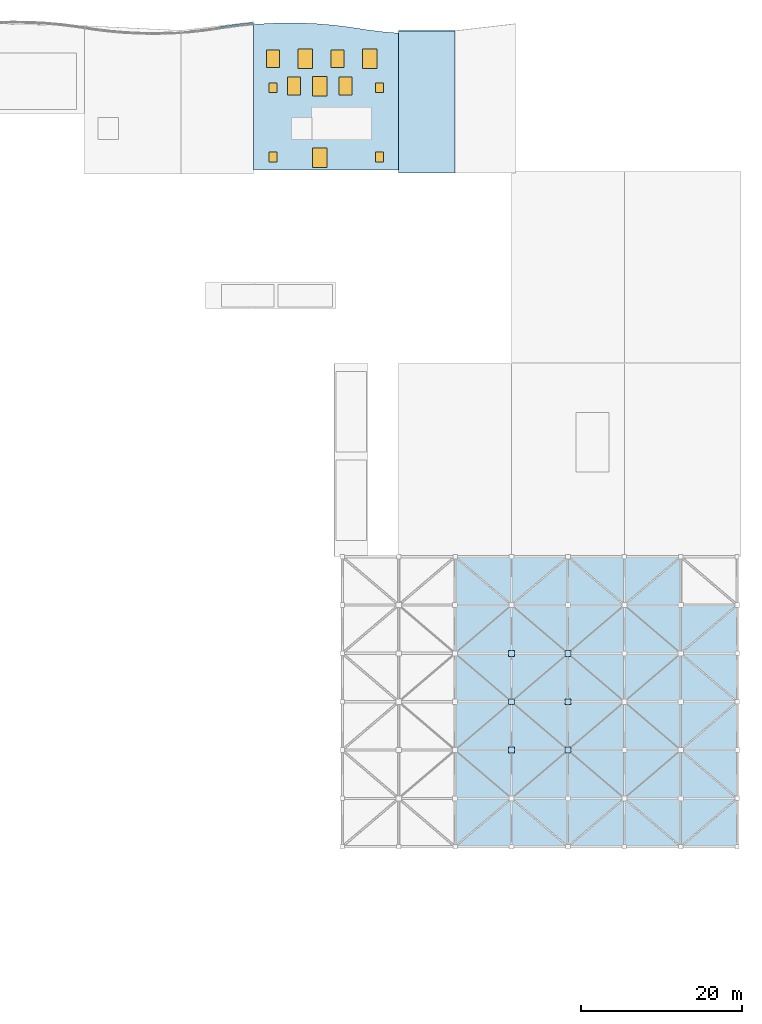
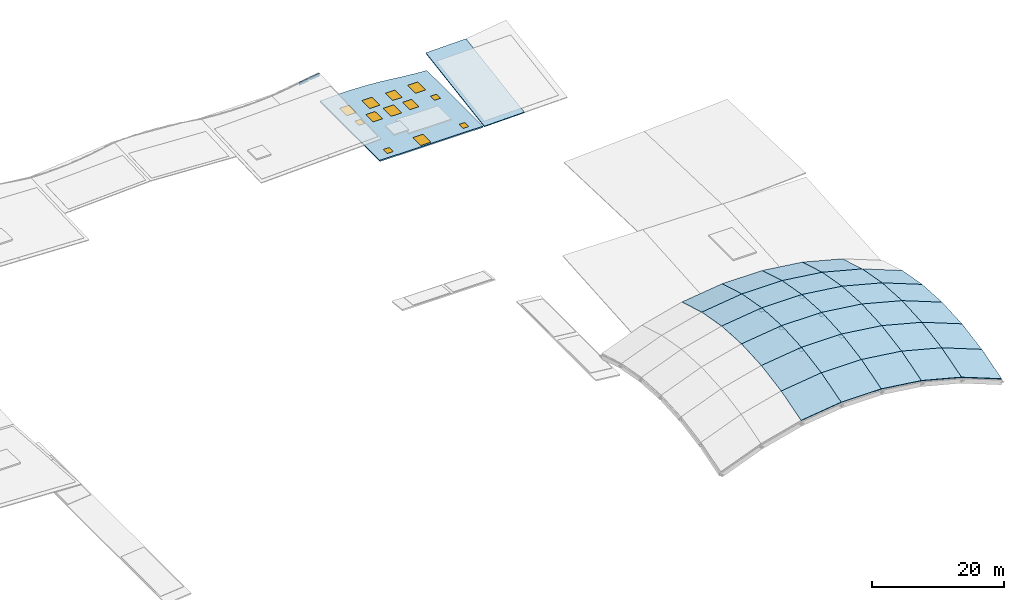
"""IFC4 building model written with IfcOpenShell, lengths in metres."""

from ifc_helpers import new_model, si_unit, direction, frame, origin, origin_2d, place, context, subcontext, project, spatial, polyline, rectangle, outline, extrude, material, layer, layer_set, type_object, element, fill, save


model = new_model("IFC4")

# Units and contexts
model_context = context("Model", 3, precision=1e-05, world=origin(), true_north=direction((0.0, 1.0)))
body_context = subcontext(model_context, "Body", "Model", "MODEL_VIEW")
ifc_project = project(units=[si_unit("LENGTHUNIT", "METRE"), si_unit("AREAUNIT", "SQUARE_METRE"), si_unit("VOLUMEUNIT", "CUBIC_METRE"), si_unit("PLANEANGLEUNIT", "RADIAN"), si_unit("MASSUNIT", "GRAM", prefix="KILO")], contexts=[model_context])

# Site, building, storey
site_placement = place(None, origin())
site = spatial("IfcSite", under=ifc_project, at=site_placement, CompositionType="ELEMENT")
building_placement = place(site_placement, origin())
building = spatial("IfcBuilding", under=site, at=building_placement, Name="Tonlespit Floodbar School", CompositionType="ELEMENT")
storey_1_placement = place(building_placement, frame((0.0, 0.0, 24.0)))
storey_1 = spatial("IfcBuildingStorey", under=building, at=storey_1_placement, Name="RF", CompositionType="ELEMENT", Elevation=24.0)

# Plates
ifc_material_1 = material(Name="White Architectural Aluminium", Category="aluminium")
ifc_layer_1 = layer(ifc_material_1, 0.06494140625)
ifc_layer_set_1 = layer_set([ifc_layer_1], Name="White Architectural Aluminium")
plate_type_1 = type_object("IfcPlateType", Name="FacadeRibbon_White_65", PredefinedType="SHEET", material=ifc_layer_set_1)
plate_1_placement = place(storey_1_placement, frame((112.98828125, 121.77685546875, 0.57275390625), z_axis=(0.0, 0.0, 1.0), x_axis=(0.989537627347, 0.144275029245, 0.0)))
element("IfcPlate", 1, at=plate_1_placement, inside=storey_1, type_object=plate_type_1, Name="RF flowing white street spandrel ribbon 0449", PredefinedType="SHEET", context=body_context, shape_type="SweptSolid", body=[
    extrude(rectangle(XDim=1.861083984375, YDim=0.06494140625, at=origin_2d()), origin(), (0.0, 0.0, 1.0), 0.580078125),
])
plate_2_placement = place(storey_1_placement, frame((114.9912109375, 122.029541015625, 0.65869140625), z_axis=(0.0, 0.0, 1.0), x_axis=(0.99439234017, 0.105753835922, 0.0)))
element("IfcPlate", 2, at=plate_2_placement, inside=storey_1, type_object=plate_type_1, Name="RF flowing white street spandrel ribbon 0451", PredefinedType="SHEET", context=body_context, shape_type="SweptSolid", body=[
    extrude(rectangle(XDim=1.851318359375, YDim=0.06494140625, at=origin_2d()), origin(), (0.0, 0.0, 1.0), 0.580078125),
])
ifc_material_2 = material(Name="Steel S355", Category="steel")
ifc_layer_2 = layer(ifc_material_2, 0.044921875)
ifc_layer_set_2 = layer_set([ifc_layer_2], Name="Steel S355")
plate_type_2 = type_object("IfcPlateType", Name="GussetPlate_GSN01", PredefinedType="USERDEFINED", material=ifc_layer_set_2)
for number, where, z_axis, x_axis, name in (
    (3, (148.0, 32.0, -6.4521484375), (0.0, 0.0, 1.0), (1.0, 0.0, 0.0), "Gridshell node gusset plate 4-3"),
    (4, (148.0, 38.0, -6.0966796875), (0.0, 0.0, 1.0), (1.0, 0.0, 0.0), "Gridshell node gusset plate 4-4"),
    (5, (148.0, 44.0, -6.4521484375), (0.0, 0.0, 1.0), (1.0, 0.0, 0.0), "Gridshell node gusset plate 4-5"),
    (6, (155.0, 32.0, -6.4521484375), (0.0, 0.0, 1.0), (1.0, 0.0, 0.0), "Gridshell node gusset plate 5-3"),
    (7, (155.0, 38.0, -6.0966796875), (0.0, 0.0, 1.0), (1.0, 0.0, 0.0), "Gridshell node gusset plate 5-4"),
    (8, (155.0, 44.0, -6.4521484375), (0.0, 0.0, 1.0), (1.0, 0.0, 0.0), "Gridshell node gusset plate 5-5"),
):
    element("IfcPlate", number, at=place(storey_1_placement, frame(where, z_axis=z_axis, x_axis=x_axis)), inside=storey_1, type_object=plate_type_2, Name=name, ObjectType="GUSSET_PLATE", PredefinedType="USERDEFINED", context=body_context, shape_type="SweptSolid", body=[
        extrude(rectangle(XDim=0.719970703125, YDim=0.719970703125, at=origin_2d()), origin(), (0.0, 0.0, 1.0), 0.044921875),
    ])

# Slabs
ifc_material_3 = material(Name="CLT C24", Category="wood")
ifc_layer_3 = layer(ifc_material_3, 0.14990234375)
ifc_layer_set_3 = layer_set([ifc_layer_3], Name="CLT C24")
slab_type_1 = type_object("IfcSlabType", Name="Slab_Gridshell_CLT_150", PredefinedType="ROOF", material=ifc_layer_set_3)
slab_1_placement = place(storey_1_placement, frame((141.0, 20.0, -9.678466796875), z_axis=(-0.124247036257, -0.281877133641, 0.951371617987), x_axis=(0.991579844011, -4.637145e-06, 0.12949676803)))
element("IfcSlab", 9, at=slab_1_placement, inside=storey_1, type_object=slab_type_1, Name="Gridshell roof cassette 3-1", PredefinedType="ROOF", context=body_context, shape_type="SweptSolid", body=[
    extrude(outline(polyline([(0.0, 0.0), (7.059427047602312, -1.1102230246251565e-16), (7.289622726882482, 6.253614688089767), (0.2301640638582867, 6.253546449744953), (0.0, 0.0)])), origin(), (0.0, 0.0, -1.0), 0.14990234375),
])
slab_2_placement = place(storey_1_placement, frame((141.0, 26.0, -7.90087890625), z_axis=(-0.127548568731, -0.173601151647, 0.976521378548), x_axis=(0.991577447063, 0.0, 0.129515120649)))
element("IfcSlab", 10, at=slab_2_placement, inside=storey_1, type_object=slab_type_1, Name="Gridshell roof cassette 3-2", PredefinedType="ROOF", context=body_context, shape_type="SweptSolid", body=[
    extrude(outline(polyline([(0.0, 0.0), (7.059458664309252, -2.7755575615628914e-17), (7.197606018341406, 6.092508380330254), (0.13814735403215406, 6.092508380330254), (0.0, 0.0)])), origin(), (0.0, 0.0, -1.0), 0.14990234375),
])
slab_3_placement = place(storey_1_placement, frame((141.0, 32.0, -6.834228515625), z_axis=(-0.129291909124, -0.058684832272, 0.989868522934), x_axis=(0.991577447063, 0.0, 0.129515120649)))
element("IfcSlab", 11, at=slab_3_placement, inside=storey_1, type_object=slab_type_1, Name="Gridshell roof cassette 3-3", PredefinedType="ROOF", context=body_context, shape_type="SweptSolid", body=[
    extrude(outline(polyline([(0.0, 0.0), (7.059458664309252, 6.938893903907228e-18), (7.105528862254972, 6.0103584915891695), (0.046070197945719496, 6.0103584915891695), (0.0, 0.0)])), origin(), (0.0, 0.0, -1.0), 0.14990234375),
])
slab_4_placement = place(storey_1_placement, frame((141.0, 38.0, -6.478515625), z_axis=(-0.129291909124, 0.058684832272, 0.989868522934), x_axis=(0.991577447063, 0.0, 0.129515120649)))
element("IfcSlab", 12, at=slab_4_placement, inside=storey_1, type_object=slab_type_1, Name="Gridshell roof cassette 3-4", PredefinedType="ROOF", context=body_context, shape_type="SweptSolid", body=[
    extrude(outline(polyline([(0.0, 0.0), (7.059458664309252, -6.938893903907228e-18), (7.013388466363533, 6.0103584915891695), (-0.046070197945719496, 6.0103584915891695), (0.0, 0.0)])), origin(), (0.0, 0.0, -1.0), 0.14990234375),
])
slab_5_placement = place(storey_1_placement, frame((141.0, 44.0, -6.834228515625), z_axis=(-0.127548568731, 0.173601151647, 0.976521378548), x_axis=(0.991577447063, 0.0, 0.129515120649)))
element("IfcSlab", 13, at=slab_5_placement, inside=storey_1, type_object=slab_type_1, Name="Gridshell roof cassette 3-5", PredefinedType="ROOF", context=body_context, shape_type="SweptSolid", body=[
    extrude(outline(polyline([(0.0, 0.0), (7.059458664309252, 2.7755575615628914e-17), (6.9213113102770984, 6.092508380330254), (-0.13814735403215406, 6.092508380330254), (0.0, 0.0)])), origin(), (0.0, 0.0, -1.0), 0.14990234375),
])
slab_6_placement = place(storey_1_placement, frame((141.0, 50.0, -7.90087890625), z_axis=(-0.124247036257, 0.281877133641, 0.951371617987), x_axis=(0.991579491169, -4.637124e-06, 0.129499469777)))
element("IfcSlab", 14, at=slab_6_placement, inside=storey_1, type_object=slab_type_1, Name="Gridshell roof cassette 3-6", PredefinedType="ROOF", context=body_context, shape_type="SweptSolid", body=[
    extrude(outline(polyline([(0.0, 0.0), (7.059458663353998, 0.0), (6.829202535212259, 6.253612462673435), (-0.2302245120602506, 6.2535442246342265), (0.0, 0.0)])), origin(), (0.0, 0.0, -1.0), 0.14990234375),
])
slab_7_placement = place(storey_1_placement, frame((148.0, 20.0, -8.764404296875), z_axis=(0.0, -0.284096299652, 0.958795751202), x_axis=(1.0, 0.0, 0.0)))
element("IfcSlab", 15, at=slab_7_placement, inside=storey_1, type_object=slab_type_1, Name="Gridshell roof cassette 4-1", PredefinedType="ROOF", context=body_context, shape_type="SweptSolid", body=[
    extrude(outline(polyline([(0.0, 0.0), (7.0, 0.0), (7.0, 6.257850008696158), (0.0, 6.257850008696158), (0.0, 0.0)])), origin(), (0.0, 0.0, -1.0), 0.14990234375),
])
slab_8_placement = place(storey_1_placement, frame((148.0, 26.0, -6.986572265625), z_axis=(0.0, -0.175030745743, 0.984562968044), x_axis=(1.0, 0.0, 0.0)))
element("IfcSlab", 16, at=slab_8_placement, inside=storey_1, type_object=slab_type_1, Name="Gridshell roof cassette 4-2", PredefinedType="ROOF", context=body_context, shape_type="SweptSolid", body=[
    extrude(outline(polyline([(0.0, 0.0), (7.0, 0.0), (7.0, 6.094074421585322), (0.0, 6.094074421585322), (0.0, 0.0)])), origin(), (0.0, 0.0, -1.0), 0.14990234375),
])
for number, where, z_axis, x_axis, name in (
    (17, (148.0, 32.0, -5.919921875), (0.0, -0.059181568247, 0.998247234897), (1.0, 0.0, 0.0), "Gridshell roof cassette 4-3"),
    (18, (148.0, 38.0, -5.564208984375), (0.0, 0.059181568247, 0.998247234897), (1.0, 0.0, 0.0), "Gridshell roof cassette 4-4"),
):
    element("IfcSlab", number, at=place(storey_1_placement, frame(where, z_axis=z_axis, x_axis=x_axis)), inside=storey_1, type_object=slab_type_1, Name=name, PredefinedType="ROOF", context=body_context, shape_type="SweptSolid", body=[
        extrude(outline(polyline([(0.0, 0.0), (7.0, 0.0), (7.0, 6.010535056095821), (0.0, 6.010535056095821), (0.0, 0.0)])), origin(), (0.0, 0.0, -1.0), 0.14990234375),
    ])
slab_9_placement = place(storey_1_placement, frame((148.0, 44.0, -5.919921875), z_axis=(0.0, 0.175030745743, 0.984562968044), x_axis=(1.0, 0.0, 0.0)))
element("IfcSlab", 19, at=slab_9_placement, inside=storey_1, type_object=slab_type_1, Name="Gridshell roof cassette 4-5", PredefinedType="ROOF", context=body_context, shape_type="SweptSolid", body=[
    extrude(outline(polyline([(0.0, 0.0), (7.0, 0.0), (7.0, 6.094074421585322), (0.0, 6.094074421585322), (0.0, 0.0)])), origin(), (0.0, 0.0, -1.0), 0.14990234375),
])
slab_10_placement = place(storey_1_placement, frame((148.0, 50.0, -6.986572265625), z_axis=(0.0, 0.284096299652, 0.958795751202), x_axis=(1.0, 0.0, 0.0)))
element("IfcSlab", 20, at=slab_10_placement, inside=storey_1, type_object=slab_type_1, Name="Gridshell roof cassette 4-6", PredefinedType="ROOF", context=body_context, shape_type="SweptSolid", body=[
    extrude(outline(polyline([(0.0, 0.0), (7.0, 0.0), (7.0, 6.257850008696158), (0.0, 6.257850008696158), (0.0, 0.0)])), origin(), (0.0, 0.0, -1.0), 0.14990234375),
])
slab_11_placement = place(storey_1_placement, frame((155.0, 20.0, -8.764404296875), z_axis=(0.124247036257, -0.281877133641, 0.951371617987), x_axis=(0.991579844011, 4.637145e-06, -0.12949676803)))
element("IfcSlab", 21, at=slab_11_placement, inside=storey_1, type_object=slab_type_1, Name="Gridshell roof cassette 5-1", PredefinedType="ROOF", context=body_context, shape_type="SweptSolid", body=[
    extrude(outline(polyline([(0.0, 0.0), (7.059427047602312, 1.1102230246251565e-16), (6.829262983744026, 6.253546449744953), (-0.23019567928016912, 6.253614688089767), (0.0, 0.0)])), origin(), (0.0, 0.0, -1.0), 0.14990234375),
])
slab_12_placement = place(storey_1_placement, frame((155.0, 26.0, -6.986572265625), z_axis=(0.127548568731, -0.173601151647, 0.976521378548), x_axis=(0.991577447063, 0.0, -0.129515120649)))
element("IfcSlab", 22, at=slab_12_placement, inside=storey_1, type_object=slab_type_1, Name="Gridshell roof cassette 5-2", PredefinedType="ROOF", context=body_context, shape_type="SweptSolid", body=[
    extrude(outline(polyline([(0.0, 0.0), (7.059458664309252, 2.7755575615628914e-17), (6.9213113102770984, 6.092508380330254), (-0.13814735403215406, 6.092508380330254), (0.0, 0.0)])), origin(), (0.0, 0.0, -1.0), 0.14990234375),
])
slab_13_placement = place(storey_1_placement, frame((155.0, 32.0, -5.919921875), z_axis=(0.129291909124, -0.058684832272, 0.989868522934), x_axis=(0.991577447063, 0.0, -0.129515120649)))
element("IfcSlab", 23, at=slab_13_placement, inside=storey_1, type_object=slab_type_1, Name="Gridshell roof cassette 5-3", PredefinedType="ROOF", context=body_context, shape_type="SweptSolid", body=[
    extrude(outline(polyline([(0.0, 0.0), (7.059458664309252, -6.938893903907228e-18), (7.013388466363533, 6.0103584915891695), (-0.046070197945719496, 6.0103584915891695), (0.0, 0.0)])), origin(), (0.0, 0.0, -1.0), 0.14990234375),
])
slab_14_placement = place(storey_1_placement, frame((155.0, 38.0, -5.564208984375), z_axis=(0.129291909124, 0.058684832272, 0.989868522934), x_axis=(0.991577447063, 0.0, -0.129515120649)))
element("IfcSlab", 24, at=slab_14_placement, inside=storey_1, type_object=slab_type_1, Name="Gridshell roof cassette 5-4", PredefinedType="ROOF", context=body_context, shape_type="SweptSolid", body=[
    extrude(outline(polyline([(0.0, 0.0), (7.059458664309252, 6.938893903907228e-18), (7.105528862254972, 6.0103584915891695), (0.046070197945719496, 6.0103584915891695), (0.0, 0.0)])), origin(), (0.0, 0.0, -1.0), 0.14990234375),
])
slab_15_placement = place(storey_1_placement, frame((155.0, 44.0, -5.919921875), z_axis=(0.127548568731, 0.173601151647, 0.976521378548), x_axis=(0.991577447063, 0.0, -0.129515120649)))
element("IfcSlab", 25, at=slab_15_placement, inside=storey_1, type_object=slab_type_1, Name="Gridshell roof cassette 5-5", PredefinedType="ROOF", context=body_context, shape_type="SweptSolid", body=[
    extrude(outline(polyline([(0.0, 0.0), (7.059458664309252, -2.7755575615628914e-17), (7.197606018341406, 6.092508380330254), (0.13814735403215406, 6.092508380330254), (0.0, 0.0)])), origin(), (0.0, 0.0, -1.0), 0.14990234375),
])
slab_16_placement = place(storey_1_placement, frame((155.0, 50.0, -6.986572265625), z_axis=(0.124247036257, 0.281877133641, 0.951371617987), x_axis=(0.991579491169, 4.637124e-06, -0.129499469777)))
element("IfcSlab", 26, at=slab_16_placement, inside=storey_1, type_object=slab_type_1, Name="Gridshell roof cassette 5-6", PredefinedType="ROOF", context=body_context, shape_type="SweptSolid", body=[
    extrude(outline(polyline([(0.0, 0.0), (7.059458663353998, 0.0), (7.289683175414249, 6.2535442246342265), (0.23025612814173904, 6.253612462673436), (0.0, 0.0)])), origin(), (0.0, 0.0, -1.0), 0.14990234375),
])
slab_17_placement = place(storey_1_placement, frame((162.0, 20.0, -9.678466796875), z_axis=(0.242947658876, -0.275567208463, 0.930074808102), x_axis=(0.967535741934, -4.324369e-06, -0.252734224159)))
element("IfcSlab", 27, at=slab_17_placement, inside=storey_1, type_object=slab_type_1, Name="Gridshell roof cassette 6-1", PredefinedType="ROOF", context=body_context, shape_type="SweptSolid", body=[
    extrude(outline(polyline([(0.0, 0.0), (7.234903352462547, 0.0), (6.785558407145649, 6.241696551304507), (-0.4492832426254532, 6.241631458513273), (0.0, 0.0)])), origin(), (0.0, 0.0, -1.0), 0.14990234375),
])
slab_18_placement = place(storey_1_placement, frame((162.0, 26.0, -7.90087890625), z_axis=(0.24905979837, -0.169515195922, 0.95353752689), x_axis=(0.967540180935, 0.0, -0.252717229877)))
element("IfcSlab", 28, at=slab_18_placement, inside=storey_1, type_object=slab_type_1, Name="Gridshell roof cassette 6-2", PredefinedType="ROOF", context=body_context, shape_type="SweptSolid", body=[
    extrude(outline(polyline([(0.0, 0.0), (7.234841650954761, 0.0), (6.965280718989238, 6.088109719755251), (-0.26956093196552355, 6.08810971975525), (0.0, 0.0)])), origin(), (0.0, 0.0, -1.0), 0.14990234375),
])
slab_19_placement = place(storey_1_placement, frame((162.0, 32.0, -6.834228515625), z_axis=(0.252318552432, -0.05724711933, 0.965949333778), x_axis=(0.967536068766, 9.33016e-07, -0.252732972991)))
element("IfcSlab", 29, at=slab_19_placement, inside=storey_1, type_object=slab_type_1, Name="Gridshell roof cassette 6-3", PredefinedType="ROOF", context=body_context, shape_type="SweptSolid", body=[
    extrude(outline(polyline([(0.0, 0.0), (7.234841649993879, 0.0), (7.145008574096019, 6.009849252418702), (-0.08989477828384336, 6.009862775096486), (0.0, 0.0)])), origin(), (0.0, 0.0, -1.0), 0.14990234375),
])
slab_20_placement = place(storey_1_placement, frame((162.0, 38.0, -6.478515625), z_axis=(0.252318552432, 0.05724711933, 0.965949333778), x_axis=(0.967536041723, 9.33008e-07, -0.252733076517)))
element("IfcSlab", 30, at=slab_20_placement, inside=storey_1, type_object=slab_type_1, Name="Gridshell roof cassette 6-4", PredefinedType="ROOF", context=body_context, shape_type="SweptSolid", body=[
    extrude(outline(polyline([(0.0, 0.0), (7.2349033523925, 2.7755575615628914e-17), (7.3247476612329265, 6.009849084502197), (0.08990601125168507, 6.009862607064654), (0.0, 0.0)])), origin(), (0.0, 0.0, -1.0), 0.14990234375),
])
slab_21_placement = place(storey_1_placement, frame((162.0, 44.0, -6.834228515625), z_axis=(0.24905979837, 0.169515195922, 0.95353752689), x_axis=(0.967540180935, 0.0, -0.252717229877)))
element("IfcSlab", 31, at=slab_21_placement, inside=storey_1, type_object=slab_type_1, Name="Gridshell roof cassette 6-5", PredefinedType="ROOF", context=body_context, shape_type="SweptSolid", body=[
    extrude(outline(polyline([(0.0, 0.0), (7.234841650954761, 0.0), (7.504402582920284, 6.08810971975525), (0.26956093196552355, 6.08810971975525), (0.0, 0.0)])), origin(), (0.0, 0.0, -1.0), 0.14990234375),
])
slab_22_placement = place(storey_1_placement, frame((162.0, 50.0, -7.90087890625), z_axis=(0.242947658876, 0.275567208463, 0.930074808102), x_axis=(0.967536368538, -4.324406e-06, -0.252731825334)))
element("IfcSlab", 32, at=slab_22_placement, inside=storey_1, type_object=slab_type_1, Name="Gridshell roof cassette 6-6", PredefinedType="ROOF", context=body_context, shape_type="SweptSolid", body=[
    extrude(outline(polyline([(0.0, 0.0), (7.234841650063927, 5.551115123125783e-17), (7.6841304380242725, 6.2417005938655485), (0.4492270858545511, 6.241635500519169), (0.0, 0.0)])), origin(), (0.0, 0.0, -1.0), 0.14990234375),
])
slab_23_placement = place(storey_1_placement, frame((169.0, 20.0, -11.507080078125), z_axis=(0.351697863242, -0.265946400844, 0.89754171205), x_axis=(0.931071633846, 0.0, -0.364836419024)))
element("IfcSlab", 33, at=slab_23_placement, inside=storey_1, type_object=slab_type_1, Name="Gridshell roof cassette 7-1", PredefinedType="ROOF", context=body_context, shape_type="SweptSolid", body=[
    extrude(outline(polyline([(0.0, 0.0), (7.518218518892542, 0.0), (6.869600646984579, 6.224145048725977), (-0.6486178719079637, 6.224145048725977), (0.0, 0.0)])), origin(), (0.0, 0.0, -1.0), 0.14990234375),
])
slab_24_placement = place(storey_1_placement, frame((169.0, 26.0, -9.729248046875), z_axis=(0.359939055521, -0.163299453123, 0.918573440134), x_axis=(0.931071633846, 0.0, -0.364836419024)))
element("IfcSlab", 34, at=slab_24_placement, inside=storey_1, type_object=slab_type_1, Name="Gridshell roof cassette 7-2", PredefinedType="ROOF", context=body_context, shape_type="SweptSolid", body=[
    extrude(outline(polyline([(0.0, 0.0), (7.518218518892542, 0.0), (7.129065610026037, 6.081636545317486), (-0.38915290886650555, 6.081636545317487), (0.0, 0.0)])), origin(), (0.0, 0.0, -1.0), 0.14990234375),
])
slab_25_placement = place(storey_1_placement, frame((169.0, 32.0, -8.66259765625), z_axis=(0.364282629132, -0.055077415163, 0.92965834824), x_axis=(0.931071633846, 0.0, -0.364836419024)))
element("IfcSlab", 35, at=slab_25_placement, inside=storey_1, type_object=slab_type_1, Name="Gridshell roof cassette 7-3", PredefinedType="ROOF", context=body_context, shape_type="SweptSolid", body=[
    extrude(outline(polyline([(0.0, 0.0), (7.518218518892542, 0.0), (7.388530573067495, 6.009121322534123), (-0.12968794582504742, 6.009121322534123), (0.0, 0.0)])), origin(), (0.0, 0.0, -1.0), 0.14990234375),
])
slab_26_placement = place(storey_1_placement, frame((169.0, 38.0, -8.30712890625), z_axis=(0.364282629132, 0.055077415163, 0.92965834824), x_axis=(0.931071633846, 0.0, -0.364836419024)))
element("IfcSlab", 36, at=slab_26_placement, inside=storey_1, type_object=slab_type_1, Name="Gridshell roof cassette 7-4", PredefinedType="ROOF", context=body_context, shape_type="SweptSolid", body=[
    extrude(outline(polyline([(0.0, 0.0), (7.518218518892542, 0.0), (7.64790646471759, 6.0091213225341225), (0.12968794582504742, 6.009121322534123), (0.0, 0.0)])), origin(), (0.0, 0.0, -1.0), 0.14990234375),
])
slab_27_placement = place(storey_1_placement, frame((169.0, 44.0, -8.66259765625), z_axis=(0.359939055521, 0.163299453123, 0.918573440134), x_axis=(0.931071633846, 0.0, -0.364836419024)))
element("IfcSlab", 37, at=slab_27_placement, inside=storey_1, type_object=slab_type_1, Name="Gridshell roof cassette 7-5", PredefinedType="ROOF", context=body_context, shape_type="SweptSolid", body=[
    extrude(outline(polyline([(0.0, 0.0), (7.518218518892542, 0.0), (7.907371427759048, 6.081636545317487), (0.38915290886650555, 6.081636545317487), (0.0, 0.0)])), origin(), (0.0, 0.0, -1.0), 0.14990234375),
])
ifc_layer_4 = layer(ifc_material_3, 0.169921875)
ifc_layer_set_4 = layer_set([ifc_layer_4], Name="CLT C24")
slab_type_2 = type_object("IfcSlabType", Name="Slab_Roof_CLT_170", PredefinedType="ROOF", material=ifc_layer_set_4)
slab_28_placement = place(storey_1_placement, frame((134.0, 103.60009765625, -3.6640625), z_axis=(-0.020434014634, -0.158373791861, 0.987167763401), x_axis=(0.999785822278, 2.725795e-06, 0.020695641182)))
element("IfcSlab", 38, at=slab_28_placement, inside=storey_1, type_object=slab_type_2, Name="V4 north-light clerestory wedge roof 1", PredefinedType="ROOF", context=body_context, shape_type="SweptSolid", body=[
    extrude(outline(polyline([(0.0, 0.0), (7.00150202813102, -3.469446951953614e-18), (7.060211417747697, 17.89427736169321), (0.05871444226345038, 17.894316018874857), (0.0, 0.0)])), origin(), (0.0, 0.0, -1.0), 0.169921875),
])

# Slab, openings
ifc_layer_5 = layer(ifc_material_3, 0.24609375)
ifc_layer_set_5 = layer_set([ifc_layer_5], Name="CLT C24")
slab_type_3 = type_object("IfcSlabType", Name="Slab_Roof_CLT_246", PredefinedType="ROOF", material=ifc_layer_set_5)
slab_29_placement = place(storey_1_placement, frame((0.0, 0.0, -4.14599609375)))
slab_29 = element("IfcSlab", 39, at=slab_29_placement, inside=storey_1, type_object=slab_type_3, Name="RF V4 conservatory skylight roof", PredefinedType="ROOF", context=body_context, shape_type="SweptSolid", body=[
    extrude(outline(polyline([(116.0, 104.0), (134.0, 104.0), (134.0, 120.968505859375), (132.0, 121.142333984375), (130.0, 121.394287109375), (128.0, 121.705810546875), (126.0, 121.957763671875), (124.0, 122.131591796875), (122.0, 122.227783203125), (120.0, 122.2470703125), (118.0, 122.189208984375), (116.0, 122.05419921875), (116.0, 104.0)])), origin(), (0.0, 0.0, 1.0), 0.24609375),
])
opening_1_placement = place(slab_29_placement, frame((118.39990234375, 117.800048828125, 0.0)))
opening_1 = element("IfcOpeningElement", 40, at=opening_1_placement, cuts=slab_29, Name="Opening SK-01", PredefinedType="OPENING", context=body_context, shape_type="SweptSolid", body=[
    extrude(rectangle(XDim=1.60009765625, YDim=2.199951171875, at=origin_2d()), frame((0.0, 0.0, -0.010009765625)), (0.0, 0.0, 1.0), 0.26611328125),
])
opening_2_placement = place(slab_29_placement, frame((122.39990234375, 117.800048828125, 0.0)))
opening_2 = element("IfcOpeningElement", 41, at=opening_2_placement, cuts=slab_29, Name="Opening SK-02", PredefinedType="OPENING", context=body_context, shape_type="SweptSolid", body=[
    extrude(rectangle(XDim=1.800048828125, YDim=2.39990234375, at=origin_2d()), frame((0.0, 0.0, -0.010009765625)), (0.0, 0.0, 1.0), 0.26611328125),
])
opening_3_placement = place(slab_29_placement, frame((126.39990234375, 117.800048828125, 0.0)))
opening_3 = element("IfcOpeningElement", 42, at=opening_3_placement, cuts=slab_29, Name="Opening SK-03", PredefinedType="OPENING", context=body_context, shape_type="SweptSolid", body=[
    extrude(rectangle(XDim=1.60009765625, YDim=2.199951171875, at=origin_2d()), frame((0.0, 0.0, -0.010009765625)), (0.0, 0.0, 1.0), 0.26611328125),
])
opening_4_placement = place(slab_29_placement, frame((130.39990234375, 117.800048828125, 0.0)))
opening_4 = element("IfcOpeningElement", 43, at=opening_4_placement, cuts=slab_29, Name="Opening SK-04", PredefinedType="OPENING", context=body_context, shape_type="SweptSolid", body=[
    extrude(rectangle(XDim=1.800048828125, YDim=2.39990234375, at=origin_2d()), frame((0.0, 0.0, -0.010009765625)), (0.0, 0.0, 1.0), 0.26611328125),
])
opening_5_placement = place(slab_29_placement, frame((121.0, 114.39990234375, 0.0)))
opening_5 = element("IfcOpeningElement", 44, at=opening_5_placement, cuts=slab_29, Name="Opening SK-05", PredefinedType="OPENING", context=body_context, shape_type="SweptSolid", body=[
    extrude(rectangle(XDim=1.60009765625, YDim=2.199951171875, at=origin_2d()), frame((0.0, 0.0, -0.010009765625)), (0.0, 0.0, 1.0), 0.26611328125),
])
opening_6_placement = place(slab_29_placement, frame((124.199951171875, 114.39990234375, 0.0)))
opening_6 = element("IfcOpeningElement", 45, at=opening_6_placement, cuts=slab_29, Name="Opening SK-06", PredefinedType="OPENING", context=body_context, shape_type="SweptSolid", body=[
    extrude(rectangle(XDim=1.800048828125, YDim=2.39990234375, at=origin_2d()), frame((0.0, 0.0, -0.010009765625)), (0.0, 0.0, 1.0), 0.26611328125),
])
opening_7_placement = place(slab_29_placement, frame((127.39990234375, 114.39990234375, 0.0)))
opening_7 = element("IfcOpeningElement", 46, at=opening_7_placement, cuts=slab_29, Name="Opening SK-07", PredefinedType="OPENING", context=body_context, shape_type="SweptSolid", body=[
    extrude(rectangle(XDim=1.60009765625, YDim=2.199951171875, at=origin_2d()), frame((0.0, 0.0, -0.010009765625)), (0.0, 0.0, 1.0), 0.26611328125),
])
opening_8_placement = place(slab_29_placement, frame((124.199951171875, 105.5, 0.0)))
opening_8 = element("IfcOpeningElement", 47, at=opening_8_placement, cuts=slab_29, Name="Opening SK-08", PredefinedType="OPENING", context=body_context, shape_type="SweptSolid", body=[
    extrude(rectangle(XDim=1.800048828125, YDim=2.39990234375, at=origin_2d()), frame((0.0, 0.0, -0.010009765625)), (0.0, 0.0, 1.0), 0.26611328125),
])
opening_9_placement = place(slab_29_placement, frame((118.39990234375, 114.199951171875, 0.0)))
opening_9 = element("IfcOpeningElement", 48, at=opening_9_placement, cuts=slab_29, Name="Opening RH-01", PredefinedType="OPENING", context=body_context, shape_type="SweptSolid", body=[
    extrude(rectangle(XDim=1.0, YDim=1.199951171875, at=origin_2d()), frame((0.0, 0.0, -0.010009765625)), (0.0, 0.0, 1.0), 0.26611328125),
])
opening_10_placement = place(slab_29_placement, frame((131.60009765625, 114.199951171875, 0.0)))
opening_10 = element("IfcOpeningElement", 49, at=opening_10_placement, cuts=slab_29, Name="Opening RH-02", PredefinedType="OPENING", context=body_context, shape_type="SweptSolid", body=[
    extrude(rectangle(XDim=1.0, YDim=1.199951171875, at=origin_2d()), frame((0.0, 0.0, -0.010009765625)), (0.0, 0.0, 1.0), 0.26611328125),
])
opening_11_placement = place(slab_29_placement, frame((118.39990234375, 105.60009765625, 0.0)))
opening_11 = element("IfcOpeningElement", 50, at=opening_11_placement, cuts=slab_29, Name="Opening RH-03", PredefinedType="OPENING", context=body_context, shape_type="SweptSolid", body=[
    extrude(rectangle(XDim=1.0, YDim=1.199951171875, at=origin_2d()), frame((0.0, 0.0, -0.010009765625)), (0.0, 0.0, 1.0), 0.26611328125),
])
opening_12_placement = place(slab_29_placement, frame((131.60009765625, 105.60009765625, 0.0)))
opening_12 = element("IfcOpeningElement", 51, at=opening_12_placement, cuts=slab_29, Name="Opening RH-04", PredefinedType="OPENING", context=body_context, shape_type="SweptSolid", body=[
    extrude(rectangle(XDim=1.0, YDim=1.199951171875, at=origin_2d()), frame((0.0, 0.0, -0.010009765625)), (0.0, 0.0, 1.0), 0.26611328125),
])

# Storey
storey_2_placement = place(building_placement, frame((0.0, 0.0, 16.199951171875)))
storey_2 = spatial("IfcBuildingStorey", under=building, at=storey_2_placement, Name="L04", CompositionType="ELEMENT", Elevation=16.199951171875)

# Door
ifc_material_4 = material(Name="Anodised Aluminium", Category="aluminium")
door_type = type_object("IfcDoorType", Name="RoofHatch_1000x1200", OperationType="SINGLE_SWING_LEFT", PredefinedType="TRAPDOOR", material=ifc_material_4)
door_1_placement = place(opening_9_placement, frame((0.0, 0.0, 0.196044921875)))
door_1 = element("IfcDoor", 52, at=door_1_placement, inside=storey_2, type_object=door_type, Name="Roof access hatch RH-01", OperationType="SINGLE_SWING_LEFT", OverallHeight=1.199951171875, OverallWidth=1.0, PredefinedType="TRAPDOOR", context=body_context, shape_type="SweptSolid", body=[
    extrude(rectangle(XDim=1.0, YDim=1.199951171875, at=origin_2d()), origin(), (0.0, 0.0, 1.0), 0.050048828125),
])

fill(opening_9, door_1)

door_2_placement = place(opening_10_placement, frame((0.0, 0.0, 0.196044921875)))
door_2 = element("IfcDoor", 53, at=door_2_placement, inside=storey_2, type_object=door_type, Name="Roof access hatch RH-02", OperationType="SINGLE_SWING_LEFT", OverallHeight=1.199951171875, OverallWidth=1.0, PredefinedType="TRAPDOOR", context=body_context, shape_type="SweptSolid", body=[
    extrude(rectangle(XDim=1.0, YDim=1.199951171875, at=origin_2d()), origin(), (0.0, 0.0, 1.0), 0.050048828125),
])

fill(opening_10, door_2)

door_3_placement = place(opening_11_placement, frame((0.0, 0.0, 0.196044921875)))
door_3 = element("IfcDoor", 54, at=door_3_placement, inside=storey_2, type_object=door_type, Name="Roof access hatch RH-03", OperationType="SINGLE_SWING_LEFT", OverallHeight=1.199951171875, OverallWidth=1.0, PredefinedType="TRAPDOOR", context=body_context, shape_type="SweptSolid", body=[
    extrude(rectangle(XDim=1.0, YDim=1.199951171875, at=origin_2d()), origin(), (0.0, 0.0, 1.0), 0.050048828125),
])

fill(opening_11, door_3)

door_4_placement = place(opening_12_placement, frame((0.0, 0.0, 0.196044921875)))
door_4 = element("IfcDoor", 55, at=door_4_placement, inside=storey_2, type_object=door_type, Name="Roof access hatch RH-04", OperationType="SINGLE_SWING_LEFT", OverallHeight=1.199951171875, OverallWidth=1.0, PredefinedType="TRAPDOOR", context=body_context, shape_type="SweptSolid", body=[
    extrude(rectangle(XDim=1.0, YDim=1.199951171875, at=origin_2d()), origin(), (0.0, 0.0, 1.0), 0.050048828125),
])

fill(opening_12, door_4)

# Window
ifc_material_5 = material(Name="Laminated Low-E Glass", Category="glass")
window_type_1 = type_object("IfcWindowType", Name="Skylight_1600x2200", PartitioningType="SINGLE_PANEL", PredefinedType="SKYLIGHT", material=ifc_material_5)
window_1_placement = place(opening_1_placement, frame((0.0, 0.0, 0.196044921875)))
window_1 = element("IfcWindow", 56, at=window_1_placement, inside=storey_1, type_object=window_type_1, Name="Conservatory skylight SK-01", OverallHeight=2.199951171875, OverallWidth=1.60009765625, PartitioningType="SINGLE_PANEL", PredefinedType="SKYLIGHT", context=body_context, shape_type="SweptSolid", body=[
    extrude(rectangle(XDim=1.60009765625, YDim=2.199951171875, at=origin_2d()), origin(), (0.0, 0.0, 1.0), 0.050048828125),
])

fill(opening_1, window_1)

window_2_placement = place(opening_3_placement, frame((0.0, 0.0, 0.196044921875)))
window_2 = element("IfcWindow", 57, at=window_2_placement, inside=storey_1, type_object=window_type_1, Name="Conservatory skylight SK-03", OverallHeight=2.199951171875, OverallWidth=1.60009765625, PartitioningType="SINGLE_PANEL", PredefinedType="SKYLIGHT", context=body_context, shape_type="SweptSolid", body=[
    extrude(rectangle(XDim=1.60009765625, YDim=2.199951171875, at=origin_2d()), origin(), (0.0, 0.0, 1.0), 0.050048828125),
])

fill(opening_3, window_2)

window_3_placement = place(opening_5_placement, frame((0.0, 0.0, 0.196044921875)))
window_3 = element("IfcWindow", 58, at=window_3_placement, inside=storey_1, type_object=window_type_1, Name="Conservatory skylight SK-05", OverallHeight=2.199951171875, OverallWidth=1.60009765625, PartitioningType="SINGLE_PANEL", PredefinedType="SKYLIGHT", context=body_context, shape_type="SweptSolid", body=[
    extrude(rectangle(XDim=1.60009765625, YDim=2.199951171875, at=origin_2d()), origin(), (0.0, 0.0, 1.0), 0.050048828125),
])

fill(opening_5, window_3)

window_4_placement = place(opening_7_placement, frame((0.0, 0.0, 0.196044921875)))
window_4 = element("IfcWindow", 59, at=window_4_placement, inside=storey_1, type_object=window_type_1, Name="Conservatory skylight SK-07", OverallHeight=2.199951171875, OverallWidth=1.60009765625, PartitioningType="SINGLE_PANEL", PredefinedType="SKYLIGHT", context=body_context, shape_type="SweptSolid", body=[
    extrude(rectangle(XDim=1.60009765625, YDim=2.199951171875, at=origin_2d()), origin(), (0.0, 0.0, 1.0), 0.050048828125),
])

fill(opening_7, window_4)

window_type_2 = type_object("IfcWindowType", Name="Skylight_1800x2400", PartitioningType="SINGLE_PANEL", PredefinedType="SKYLIGHT", material=ifc_material_5)
window_5_placement = place(opening_2_placement, frame((0.0, 0.0, 0.196044921875)))
window_5 = element("IfcWindow", 60, at=window_5_placement, inside=storey_1, type_object=window_type_2, Name="Conservatory skylight SK-02", OverallHeight=2.39990234375, OverallWidth=1.800048828125, PartitioningType="SINGLE_PANEL", PredefinedType="SKYLIGHT", context=body_context, shape_type="SweptSolid", body=[
    extrude(rectangle(XDim=1.800048828125, YDim=2.39990234375, at=origin_2d()), origin(), (0.0, 0.0, 1.0), 0.050048828125),
])

fill(opening_2, window_5)

window_6_placement = place(opening_4_placement, frame((0.0, 0.0, 0.196044921875)))
window_6 = element("IfcWindow", 61, at=window_6_placement, inside=storey_1, type_object=window_type_2, Name="Conservatory skylight SK-04", OverallHeight=2.39990234375, OverallWidth=1.800048828125, PartitioningType="SINGLE_PANEL", PredefinedType="SKYLIGHT", context=body_context, shape_type="SweptSolid", body=[
    extrude(rectangle(XDim=1.800048828125, YDim=2.39990234375, at=origin_2d()), origin(), (0.0, 0.0, 1.0), 0.050048828125),
])

fill(opening_4, window_6)

window_7_placement = place(opening_6_placement, frame((0.0, 0.0, 0.196044921875)))
window_7 = element("IfcWindow", 62, at=window_7_placement, inside=storey_1, type_object=window_type_2, Name="Conservatory skylight SK-06", OverallHeight=2.39990234375, OverallWidth=1.800048828125, PartitioningType="SINGLE_PANEL", PredefinedType="SKYLIGHT", context=body_context, shape_type="SweptSolid", body=[
    extrude(rectangle(XDim=1.800048828125, YDim=2.39990234375, at=origin_2d()), origin(), (0.0, 0.0, 1.0), 0.050048828125),
])

fill(opening_6, window_7)

window_8_placement = place(opening_8_placement, frame((0.0, 0.0, 0.196044921875)))
window_8 = element("IfcWindow", 63, at=window_8_placement, inside=storey_1, type_object=window_type_2, Name="Conservatory skylight SK-08", OverallHeight=2.39990234375, OverallWidth=1.800048828125, PartitioningType="SINGLE_PANEL", PredefinedType="SKYLIGHT", context=body_context, shape_type="SweptSolid", body=[
    extrude(rectangle(XDim=1.800048828125, YDim=2.39990234375, at=origin_2d()), origin(), (0.0, 0.0, 1.0), 0.050048828125),
])

fill(opening_8, window_8)

save(model, "model.ifc")
